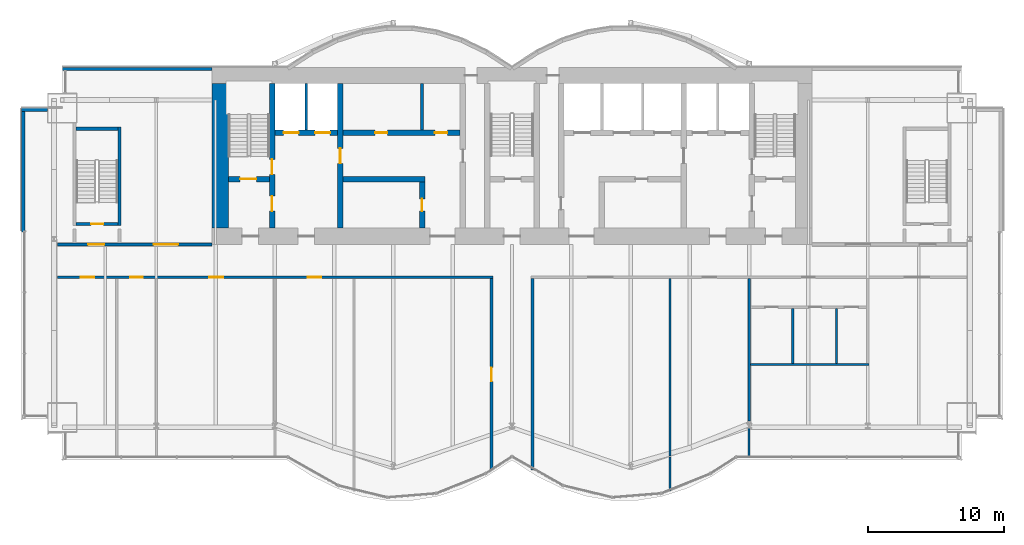
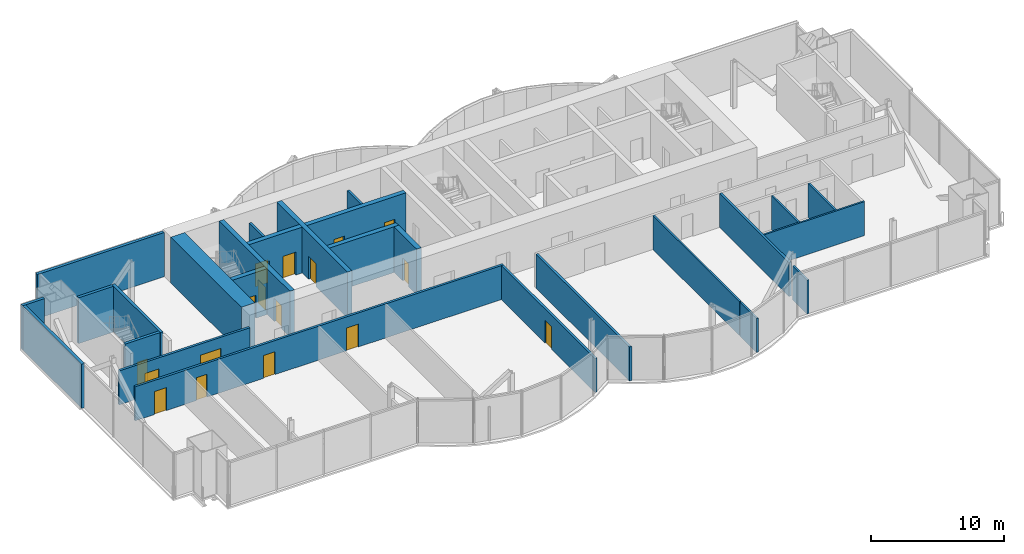
# One storey, part 13 of 19: 26 walls, 17 doors, 17 openings.
"""IFC4 building model written with IfcOpenShell, lengths in metres."""

from ifc_helpers import new_model, si_unit, direction, frame, frame_2d, origin, place, context, subcontext, project, spatial, rectangle, extrude, material, layer, layer_set, layer_usage, type_object, element, fill, save


model = new_model("IFC4")

# Units and contexts
model_context = context("Model", 3, precision=1e-05, world=origin(), true_north=direction((0.0, 1.0)))
body_context = subcontext(model_context, "Body", "Model", "MODEL_VIEW")
ifc_project = project(units=[si_unit("LENGTHUNIT", "METRE"), si_unit("AREAUNIT", "SQUARE_METRE"), si_unit("VOLUMEUNIT", "CUBIC_METRE"), si_unit("PLANEANGLEUNIT", "RADIAN"), si_unit("MASSUNIT", "GRAM", prefix="KILO")], contexts=[model_context])

# Site, building, storey
site_placement = place(None, origin())
site = spatial("IfcSite", under=ifc_project, at=site_placement, CompositionType="ELEMENT")
building_placement = place(site_placement, origin())
building = spatial("IfcBuilding", under=site, at=building_placement, Name="Bicima Exchange Tower", CompositionType="ELEMENT")
storey_placement = place(building_placement, frame((0.0, 0.0, 266.60009765625)))
storey = spatial("IfcBuildingStorey", under=building, at=storey_placement, Name="L60", CompositionType="ELEMENT", Elevation=266.60009765625)

# Wall
ifc_material_1 = material(Name="Gypsum board partition")
ifc_layer_1 = layer(ifc_material_1, 0.199951171875)
ifc_layer_set_1 = layer_set([ifc_layer_1], Name="Gypsum board partition")
wall_type_1 = type_object("IfcWallType", Name="Fire-rated gypsum partition 200 EI120", PredefinedType="PARTITIONING", material=ifc_layer_set_1)
wall_1_placement = place(storey_placement, frame((-15.10009765625, -4.60009765625, 0.0), z_axis=(0.0, 0.0, 1.0), x_axis=(0.0, 1.0, 0.0)))
element("IfcWall", 1, at=wall_1_placement, inside=storey, type_object=wall_type_1, Name="partition wall 9", PredefinedType="PARTITIONING", context=body_context, shape_type="SweptSolid", body=[
    extrude(rectangle(XDim=3.400146484375, YDim=0.199951171875, at=frame_2d((1.7001953125, 0.0))), origin(), (0.0, 0.0, 1.0), 3.1181640625),
])

# Wall, openings, doors
ifc_layer_2 = layer(ifc_material_1, 0.199951171875)
ifc_layer_set_2 = layer_set([ifc_layer_2], Name="Gypsum board partition")
wall_type_2 = type_object("IfcWallType", Name="Fire-rated gypsum partition 200 EI60", PredefinedType="PARTITIONING", material=ifc_layer_set_2)
wall_2_placement = place(storey_placement, frame((-33.340087890625, -15.39990234375, 0.0), z_axis=(0.0, 0.0, 1.0), x_axis=(1.0, 0.0, 0.0)))
wall_2 = element("IfcWall", 2, at=wall_2_placement, inside=storey, type_object=wall_type_2, Name="partition wall 3", PredefinedType="PARTITIONING", context=body_context, shape_type="SweptSolid", body=[
    extrude(rectangle(XDim=31.940185546875, YDim=0.199951171875, at=frame_2d((15.97021484375, 0.0))), origin(), (0.0, 0.0, 1.0), 3.1181640625),
])
opening_1_placement = place(wall_2_placement, frame((1.699951171875, 0.0, 0.0)))
opening_1 = element("IfcOpeningElement", 3, at=opening_1_placement, cuts=wall_2, Name="Opening L60-007", PredefinedType="OPENING", context=body_context, shape_type="SweptSolid", body=[
    extrude(rectangle(XDim=1.0, YDim=2.10009765625, at=frame_2d((0.5, 1.050048828125))), frame((0.0, 0.11181640625, 0.0), z_axis=(0.0, -1.0, 0.0), x_axis=(1.0, 0.0, 0.0)), (0.0, 0.0, 1.0), 0.223876953125),
])
opening_2_placement = place(wall_2_placement, frame((5.340087890625, 0.0, 0.0)))
opening_2 = element("IfcOpeningElement", 4, at=opening_2_placement, cuts=wall_2, Name="Opening L60-008", PredefinedType="OPENING", context=body_context, shape_type="SweptSolid", body=[
    extrude(rectangle(XDim=0.89990234375, YDim=2.10009765625, at=frame_2d((0.449951171875, 1.050048828125))), frame((0.0, 0.11181640625, 0.0), z_axis=(0.0, -1.0, 0.0), x_axis=(1.0, 0.0, 0.0)), (0.0, 0.0, 1.0), 0.223876953125),
])
opening_3_placement = place(wall_2_placement, frame((11.139892578125, 0.0, 0.0)))
opening_3 = element("IfcOpeningElement", 5, at=opening_3_placement, cuts=wall_2, Name="Opening L60-009", PredefinedType="OPENING", context=body_context, shape_type="SweptSolid", body=[
    extrude(rectangle(XDim=1.0, YDim=2.10009765625, at=frame_2d((0.5, 1.050048828125))), frame((0.0, 0.11181640625, 0.0), z_axis=(0.0, -1.0, 0.0), x_axis=(1.0, 0.0, 0.0)), (0.0, 0.0, 1.0), 0.223876953125),
])
opening_4_placement = place(wall_2_placement, frame((18.340087890625, 0.0, 0.0)))
opening_4 = element("IfcOpeningElement", 6, at=opening_4_placement, cuts=wall_2, Name="Opening L60-010", PredefinedType="OPENING", context=body_context, shape_type="SweptSolid", body=[
    extrude(rectangle(XDim=1.0, YDim=2.10009765625, at=frame_2d((0.5, 1.050048828125))), frame((0.0, 0.11181640625, 0.0), z_axis=(0.0, -1.0, 0.0), x_axis=(1.0, 0.0, 0.0)), (0.0, 0.0, 1.0), 0.223876953125),
])
ifc_material_2 = material(Name="Steel fire door leaf", Category="steel")
door_type_1 = type_object("IfcDoorType", Name="Door 1000 swing FD30S", OperationType="SINGLE_SWING_LEFT", PredefinedType="DOOR", material=ifc_material_2)
door_1_placement = place(opening_1_placement, frame((1.0, 0.0, 0.0), z_axis=(0.0, 0.0, 1.0), x_axis=(-1.0, 0.0, 0.0)))
door_1 = element("IfcDoor", 7, at=door_1_placement, inside=storey, type_object=door_type_1, Name="Door", OperationType="SINGLE_SWING_LEFT", OverallHeight=2.10009765625, OverallWidth=1.0, PredefinedType="DOOR", context=body_context, shape_type="SweptSolid", body=[
    extrude(rectangle(XDim=1.0, YDim=2.10009765625, at=frame_2d((0.5, 1.050048828125))), frame((0.0, 0.02490234375, 0.0), z_axis=(0.0, -1.0, 0.0), x_axis=(1.0, 0.0, 0.0)), (0.0, 0.0, 1.0), 0.050048828125),
])
fill(opening_1, door_1)
door_2_placement = place(opening_3_placement, frame((1.0, 0.0, 0.0), z_axis=(0.0, 0.0, 1.0), x_axis=(-1.0, 0.0, 0.0)))
door_2 = element("IfcDoor", 8, at=door_2_placement, inside=storey, type_object=door_type_1, Name="Door", OperationType="SINGLE_SWING_RIGHT", OverallHeight=2.10009765625, OverallWidth=1.0, PredefinedType="DOOR", context=body_context, shape_type="SweptSolid", body=[
    extrude(rectangle(XDim=1.0, YDim=2.10009765625, at=frame_2d((0.5, 1.050048828125))), frame((0.0, 0.02490234375, 0.0), z_axis=(0.0, -1.0, 0.0), x_axis=(1.0, 0.0, 0.0)), (0.0, 0.0, 1.0), 0.050048828125),
])
fill(opening_3, door_2)
door_3_placement = place(opening_4_placement, frame((1.0, 0.0, 0.0), z_axis=(0.0, 0.0, 1.0), x_axis=(-1.0, 0.0, 0.0)))
door_3 = element("IfcDoor", 9, at=door_3_placement, inside=storey, type_object=door_type_1, Name="Door", OperationType="SINGLE_SWING_LEFT", OverallHeight=2.10009765625, OverallWidth=1.0, PredefinedType="DOOR", context=body_context, shape_type="SweptSolid", body=[
    extrude(rectangle(XDim=1.0, YDim=2.10009765625, at=frame_2d((0.5, 1.050048828125))), frame((0.0, 0.02490234375, 0.0), z_axis=(0.0, -1.0, 0.0), x_axis=(1.0, 0.0, 0.0)), (0.0, 0.0, 1.0), 0.050048828125),
])
fill(opening_4, door_3)
door_type_2 = type_object("IfcDoorType", Name="Door 900 swing FD30S", OperationType="SINGLE_SWING_LEFT", PredefinedType="DOOR", material=ifc_material_2)
door_4_placement = place(opening_2_placement, frame((0.89990234375, 0.0, 0.0), z_axis=(0.0, 0.0, 1.0), x_axis=(-1.0, 0.0, 0.0)))
door_4 = element("IfcDoor", 10, at=door_4_placement, inside=storey, type_object=door_type_2, Name="Door", OperationType="SINGLE_SWING_RIGHT", OverallHeight=2.10009765625, OverallWidth=0.89990234375, PredefinedType="DOOR", context=body_context, shape_type="SweptSolid", body=[
    extrude(rectangle(XDim=0.89990234375, YDim=2.10009765625, at=frame_2d((0.449951171875, 1.050048828125))), frame((0.0, 0.02490234375, 0.0), z_axis=(0.0, -1.0, 0.0), x_axis=(1.0, 0.0, 0.0)), (0.0, 0.0, 1.0), 0.050048828125),
])
fill(opening_2, door_4)

wall_3_placement = place(storey_placement, frame((-33.340087890625, -13.0, 0.0), z_axis=(0.0, 0.0, 1.0), x_axis=(1.0, 0.0, 0.0)))
wall_3 = element("IfcWall", 11, at=wall_3_placement, inside=storey, type_object=wall_type_2, Name="partition wall 5", PredefinedType="PARTITIONING", context=body_context, shape_type="SweptSolid", body=[
    extrude(rectangle(XDim=11.340087890625, YDim=0.199951171875, at=frame_2d((5.669921875, 0.0))), origin(), (0.0, 0.0, 1.0), 3.1181640625),
])
opening_5_placement = place(wall_3_placement, frame((2.239990234375, 0.0, 0.0)))
opening_5 = element("IfcOpeningElement", 12, at=opening_5_placement, cuts=wall_3, Name="Opening L60-001", PredefinedType="OPENING", context=body_context, shape_type="SweptSolid", body=[
    extrude(rectangle(XDim=1.199951171875, YDim=2.10009765625, at=frame_2d((0.60009765625, 1.050048828125))), frame((0.0, 0.11181640625, 0.0), z_axis=(0.0, -1.0, 0.0), x_axis=(1.0, 0.0, 0.0)), (0.0, 0.0, 1.0), 0.223876953125),
])
opening_6_placement = place(wall_3_placement, frame((7.0400390625, 0.0, 0.0)))
opening_6 = element("IfcOpeningElement", 13, at=opening_6_placement, cuts=wall_3, Name="Opening L60-005", PredefinedType="OPENING", context=body_context, shape_type="SweptSolid", body=[
    extrude(rectangle(XDim=1.800048828125, YDim=2.10009765625, at=frame_2d((0.89990234375, 1.050048828125))), frame((0.0, 0.11181640625, 0.0), z_axis=(0.0, -1.0, 0.0), x_axis=(1.0, 0.0, 0.0)), (0.0, 0.0, 1.0), 0.223876953125),
])
door_type_3 = type_object("IfcDoorType", Name="Door 1200 swing FD30S", OperationType="SINGLE_SWING_LEFT", PredefinedType="DOOR", material=ifc_material_2)
door_5_placement = place(opening_5_placement, origin())
door_5 = element("IfcDoor", 14, at=door_5_placement, inside=storey, type_object=door_type_3, Name="Door", OperationType="SINGLE_SWING_LEFT", OverallHeight=2.10009765625, OverallWidth=1.199951171875, PredefinedType="DOOR", context=body_context, shape_type="SweptSolid", body=[
    extrude(rectangle(XDim=1.199951171875, YDim=2.10009765625, at=frame_2d((0.60009765625, 1.050048828125))), frame((0.0, 0.02490234375, 0.0), z_axis=(0.0, -1.0, 0.0), x_axis=(1.0, 0.0, 0.0)), (0.0, 0.0, 1.0), 0.050048828125),
])
fill(opening_5, door_5)
door_type_4 = type_object("IfcDoorType", Name="Door 1800 double swing FD30S", OperationType="DOUBLE_DOOR_SINGLE_SWING", PredefinedType="DOOR", material=ifc_material_2)
door_6_placement = place(opening_6_placement, origin())
door_6 = element("IfcDoor", 15, at=door_6_placement, inside=storey, type_object=door_type_4, Name="Door", OperationType="SINGLE_SWING_LEFT", OverallHeight=2.10009765625, OverallWidth=1.800048828125, PredefinedType="DOOR", context=body_context, shape_type="SweptSolid", body=[
    extrude(rectangle(XDim=1.800048828125, YDim=2.10009765625, at=frame_2d((0.89990234375, 1.050048828125))), frame((0.0, 0.02490234375, 0.0), z_axis=(0.0, -1.0, 0.0), x_axis=(1.0, 0.0, 0.0)), (0.0, 0.0, 1.0), 0.050048828125),
])
fill(opening_6, door_6)

# Wall, opening, door
wall_4_placement = place(storey_placement, frame((-1.5, -29.5400390625, 0.0), z_axis=(0.0, 0.0, 1.0), x_axis=(0.0, 1.0, 0.0)))
wall_4 = element("IfcWall", 16, at=wall_4_placement, inside=storey, type_object=wall_type_2, Name="partition wall 19", PredefinedType="PARTITIONING", context=body_context, shape_type="SweptSolid", body=[
    extrude(rectangle(XDim=14.0400390625, YDim=0.199951171875, at=frame_2d((7.02001953125, 0.0))), origin(), (0.0, 0.0, 1.0), 3.1181640625),
])
opening_7_placement = place(wall_4_placement, frame((6.5, 0.0, 0.0)))
opening_7 = element("IfcOpeningElement", 17, at=opening_7_placement, cuts=wall_4, Name="Opening L60-011", PredefinedType="OPENING", context=body_context, shape_type="SweptSolid", body=[
    extrude(rectangle(XDim=1.0, YDim=2.10009765625, at=frame_2d((0.5, 1.050048828125))), frame((0.0, 0.11181640625, 0.0), z_axis=(0.0, -1.0, 0.0), x_axis=(1.0, 0.0, 0.0)), (0.0, 0.0, 1.0), 0.223876953125),
])
door_7_placement = place(opening_7_placement, origin())
door_7 = element("IfcDoor", 18, at=door_7_placement, inside=storey, type_object=door_type_1, Name="Door", OperationType="SINGLE_SWING_LEFT", OverallHeight=2.10009765625, OverallWidth=1.0, PredefinedType="DOOR", context=body_context, shape_type="SweptSolid", body=[
    extrude(rectangle(XDim=1.0, YDim=2.10009765625, at=frame_2d((0.5, 1.050048828125))), frame((0.0, 0.02490234375, 0.0), z_axis=(0.0, -1.0, 0.0), x_axis=(1.0, 0.0, 0.0)), (0.0, 0.0, 1.0), 0.050048828125),
])
fill(opening_7, door_7)

# Walls
wall_5_placement = place(storey_placement, frame((1.5, -29.5400390625, 0.0), z_axis=(0.0, 0.0, 1.0), x_axis=(0.0, 1.0, 0.0)))
element("IfcWall", 19, at=wall_5_placement, inside=storey, type_object=wall_type_2, Name="partition wall 20", PredefinedType="PARTITIONING", context=body_context, shape_type="SweptSolid", body=[
    extrude(rectangle(XDim=14.0400390625, YDim=0.199951171875, at=frame_2d((7.02001953125, 0.0))), origin(), (0.0, 0.0, 1.0), 3.1181640625),
])
wall_6_placement = place(storey_placement, frame((17.39990234375, -25.93603515625, 0.0), z_axis=(0.0, 0.0, 1.0), x_axis=(0.0, 1.0, 0.0)))
element("IfcWall", 20, at=wall_6_placement, inside=storey, type_object=wall_type_2, Name="partition wall 24", PredefinedType="PARTITIONING", context=body_context, shape_type="SweptSolid", body=[
    extrude(rectangle(XDim=10.43603515625, YDim=0.199951171875, at=frame_2d((5.218017578125, 0.0))), origin(), (0.0, 0.0, 1.0), 3.1181640625),
])
wall_7_placement = place(storey_placement, frame((-6.60009765625, -4.60009765625, 0.0), z_axis=(0.0, 0.0, 1.0), x_axis=(0.0, 1.0, 0.0)))
element("IfcWall", 21, at=wall_7_placement, inside=storey, type_object=wall_type_2, Name="partition wall 12", PredefinedType="PARTITIONING", context=body_context, shape_type="SweptSolid", body=[
    extrude(rectangle(XDim=3.400146484375, YDim=0.199951171875, at=frame_2d((1.7001953125, 0.0))), origin(), (0.0, 0.0, 1.0), 3.1181640625),
])
ifc_layer_3 = layer(ifc_material_1, 0.14990234375)
ifc_layer_set_3 = layer_set([ifc_layer_3], Name="Gypsum board partition")
wall_type_3 = type_object("IfcWallType", Name="Gypsum partition 150", PredefinedType="PARTITIONING", material=ifc_layer_set_3)
wall_8_placement = place(storey_placement, frame((17.5, -21.800048828125, 0.0), z_axis=(0.0, 0.0, 1.0), x_axis=(1.0, 0.0, 0.0)))
element("IfcWall", 22, at=wall_8_placement, inside=storey, type_object=wall_type_3, Name="partition wall 1", PredefinedType="PARTITIONING", context=body_context, shape_type="SweptSolid", body=[
    extrude(rectangle(XDim=8.699951171875, YDim=0.14990234375, at=frame_2d((4.35009765625, 0.0))), origin(), (0.0, 0.0, 1.0), 3.1181640625),
])
wall_9_placement = place(storey_placement, frame((11.60009765625, -31.080078125, 0.0), z_axis=(0.0, 0.0, 1.0), x_axis=(0.0, 1.0, 0.0)))
element("IfcWall", 23, at=wall_9_placement, inside=storey, type_object=wall_type_3, Name="partition wall 21", PredefinedType="PARTITIONING", context=body_context, shape_type="SweptSolid", body=[
    extrude(rectangle(XDim=2.469970703125, YDim=0.14990234375, at=frame_2d((1.23486328125, 0.0))), origin(), (0.0, 0.0, 1.0), 3.1181640625),
])
wall_10_placement = place(storey_placement, frame((11.60009765625, -28.510986328125, 0.0), z_axis=(0.0, 0.0, 1.0), x_axis=(0.0, 1.0, 0.0)))
element("IfcWall", 24, at=wall_10_placement, inside=storey, type_object=wall_type_3, Name="partition wall 22", PredefinedType="PARTITIONING", context=body_context, shape_type="SweptSolid", body=[
    extrude(rectangle(XDim=13.010986328125, YDim=0.14990234375, at=frame_2d((6.50537109375, 0.0))), origin(), (0.0, 0.0, 1.0), 3.1181640625),
])
wall_11_placement = place(storey_placement, frame((17.39990234375, -28.610107421875, 0.0), z_axis=(0.0, 0.0, 1.0), x_axis=(0.0, 1.0, 0.0)))
element("IfcWall", 25, at=wall_11_placement, inside=storey, type_object=wall_type_3, Name="partition wall 23", PredefinedType="PARTITIONING", context=body_context, shape_type="SweptSolid", body=[
    extrude(rectangle(XDim=2.186279296875, YDim=0.14990234375, at=frame_2d((1.09326171875, 0.0))), origin(), (0.0, 0.0, 1.0), 3.1181640625),
])
for number, where, z_axis, x_axis, name in (
    (26, (20.60009765625, -21.72509765625, 0.0), (0.0, 0.0, 1.0), (0.0, 1.0, 0.0), "partition wall 25"),
    (27, (23.800048828125, -21.72509765625, 0.0), (0.0, 0.0, 1.0), (0.0, 1.0, 0.0), "partition wall 26"),
):
    element("IfcWall", number, at=place(storey_placement, frame(where, z_axis=z_axis, x_axis=x_axis)), inside=storey, type_object=wall_type_3, Name=name, PredefinedType="PARTITIONING", context=body_context, shape_type="SweptSolid", body=[
        extrude(rectangle(XDim=4.025146484375, YDim=0.14990234375, at=frame_2d((2.0126953125, 0.0))), origin(), (0.0, 0.0, 1.0), 3.1181640625),
    ])
ifc_material_3 = material(Name="Concrete C40/50", Category="concrete")
ifc_layer_4 = layer(ifc_material_3, 1.199951171875)
ifc_layer_set_4 = layer_set([ifc_layer_4], Name="Concrete C40/50")
wall_type_4 = type_object("IfcWallType", Name="RC core wall 1200 C40/50", PredefinedType="SHEAR", material=ifc_layer_set_4)
wall_12_placement = place(storey_placement, frame((-21.39990234375, -11.800048828125, 0.0), z_axis=(0.0, 0.0, 1.0), x_axis=(0.0, 1.0, 0.0)))
element("IfcWall", 28, at=wall_12_placement, inside=storey, type_object=wall_type_4, Name="Core wall west", PredefinedType="SHEAR", context=body_context, shape_type="SweptSolid", body=[
    extrude(rectangle(XDim=10.60009765625, YDim=1.199951171875, at=frame_2d((5.300048828125, 0.0))), origin(), (0.0, 0.0, 1.0), 4.199951171875),
])
ifc_layer_5 = layer(ifc_material_3, 0.39990234375)
ifc_layer_set_5 = layer_set([ifc_layer_5], Name="Concrete C40/50")
wall_type_5 = type_object("IfcWallType", Name="RC core wall 400 C40/50", PredefinedType="SHEAR", material=ifc_layer_set_5)
wall_13_placement = place(storey_placement, frame((-12.39990234375, -8.199951171875, 0.0), z_axis=(0.0, 0.0, 1.0), x_axis=(1.0, 0.0, 0.0)))
element("IfcWall", 29, at=wall_13_placement, inside=storey, type_object=wall_type_5, Name="shear wall 2", PredefinedType="SHEAR", context=body_context, shape_type="SweptSolid", body=[
    extrude(rectangle(XDim=6.0, YDim=0.39990234375, at=frame_2d((3.0, 0.0))), origin(), (0.0, 0.0, 1.0), 4.199951171875),
])

# Wall, openings, doors
wall_14_placement = place(storey_placement, frame((-17.39990234375, -4.800048828125, 0.0), z_axis=(0.0, 0.0, 1.0), x_axis=(1.0, 0.0, 0.0)))
wall_14 = element("IfcWall", 30, at=wall_14_placement, inside=storey, type_object=wall_type_5, Name="shear wall 6", PredefinedType="SHEAR", context=body_context, shape_type="SweptSolid", body=[
    extrude(rectangle(XDim=13.599853515625, YDim=0.39990234375, at=frame_2d((6.7998046875, 0.0))), origin(), (0.0, 0.0, 1.0), 4.199951171875),
])
opening_8_placement = place(wall_14_placement, frame((0.64990234375, 0.0, 0.0)))
opening_8 = element("IfcOpeningElement", 31, at=opening_8_placement, cuts=wall_14, Name="Opening LD-FF1-L60", PredefinedType="OPENING", context=body_context, shape_type="SweptSolid", body=[
    extrude(rectangle(XDim=1.10009765625, YDim=2.10009765625, at=frame_2d((0.550048828125, 1.050048828125))), frame((0.0, 0.2119140625, 0.0), z_axis=(0.0, -1.0, 0.0), x_axis=(1.0, 0.0, 0.0)), (0.0, 0.0, 1.0), 0.423828125),
])
opening_9_placement = place(wall_14_placement, frame((2.949951171875, 0.0, 0.0)))
opening_9 = element("IfcOpeningElement", 32, at=opening_9_placement, cuts=wall_14, Name="Opening LD-FF3-L60", PredefinedType="OPENING", context=body_context, shape_type="SweptSolid", body=[
    extrude(rectangle(XDim=1.10009765625, YDim=2.10009765625, at=frame_2d((0.550048828125, 1.050048828125))), frame((0.0, 0.2119140625, 0.0), z_axis=(0.0, -1.0, 0.0), x_axis=(1.0, 0.0, 0.0)), (0.0, 0.0, 1.0), 0.423828125),
])
opening_10_placement = place(wall_14_placement, frame((7.35009765625, 0.0, 0.0)))
opening_10 = element("IfcOpeningElement", 33, at=opening_10_placement, cuts=wall_14, Name="Opening L60-C12", PredefinedType="OPENING", context=body_context, shape_type="SweptSolid", body=[
    extrude(rectangle(XDim=0.89990234375, YDim=2.10009765625, at=frame_2d((0.449951171875, 1.050048828125))), frame((0.0, 0.2119140625, 0.0), z_axis=(0.0, -1.0, 0.0), x_axis=(1.0, 0.0, 0.0)), (0.0, 0.0, 1.0), 0.423828125),
])
opening_11_placement = place(wall_14_placement, frame((11.75, 0.0, 0.0)))
opening_11 = element("IfcOpeningElement", 34, at=opening_11_placement, cuts=wall_14, Name="Opening L60-C13", PredefinedType="OPENING", context=body_context, shape_type="SweptSolid", body=[
    extrude(rectangle(XDim=0.89990234375, YDim=2.10009765625, at=frame_2d((0.449951171875, 1.050048828125))), frame((0.0, 0.2119140625, 0.0), z_axis=(0.0, -1.0, 0.0), x_axis=(1.0, 0.0, 0.0)), (0.0, 0.0, 1.0), 0.423828125),
])
door_8_placement = place(opening_10_placement, origin())
door_8 = element("IfcDoor", 35, at=door_8_placement, inside=storey, type_object=door_type_2, Name="Core door", OperationType="SINGLE_SWING_RIGHT", OverallHeight=2.10009765625, OverallWidth=0.89990234375, PredefinedType="DOOR", context=body_context, shape_type="SweptSolid", body=[
    extrude(rectangle(XDim=0.89990234375, YDim=2.10009765625, at=frame_2d((0.449951171875, 1.050048828125))), frame((0.0, 0.02490234375, 0.0), z_axis=(0.0, -1.0, 0.0), x_axis=(1.0, 0.0, 0.0)), (0.0, 0.0, 1.0), 0.050048828125),
])
fill(opening_10, door_8)
door_9_placement = place(opening_11_placement, origin())
door_9 = element("IfcDoor", 36, at=door_9_placement, inside=storey, type_object=door_type_2, Name="Core door", OperationType="SINGLE_SWING_LEFT", OverallHeight=2.10009765625, OverallWidth=0.89990234375, PredefinedType="DOOR", context=body_context, shape_type="SweptSolid", body=[
    extrude(rectangle(XDim=0.89990234375, YDim=2.10009765625, at=frame_2d((0.449951171875, 1.050048828125))), frame((0.0, 0.02490234375, 0.0), z_axis=(0.0, -1.0, 0.0), x_axis=(1.0, 0.0, 0.0)), (0.0, 0.0, 1.0), 0.050048828125),
])
fill(opening_11, door_9)
ifc_material_4 = material(Name="Stainless steel", Category="steel")
door_type_5 = type_object("IfcDoorType", Name="Lift landing door 1100 sliding", OperationType="DOUBLE_DOOR_SLIDING", PredefinedType="DOOR", material=ifc_material_4)
door_10_placement = place(opening_8_placement, origin())
door_10 = element("IfcDoor", 37, at=door_10_placement, inside=storey, type_object=door_type_5, Name="Lift landing door FF1", OperationType="DOUBLE_DOOR_SLIDING", OverallHeight=2.10009765625, OverallWidth=1.10009765625, PredefinedType="DOOR", context=body_context, shape_type="SweptSolid", body=[
    extrude(rectangle(XDim=1.10009765625, YDim=2.10009765625, at=frame_2d((0.550048828125, 1.050048828125))), frame((0.0, 0.02490234375, 0.0), z_axis=(0.0, -1.0, 0.0), x_axis=(1.0, 0.0, 0.0)), (0.0, 0.0, 1.0), 0.050048828125),
])
fill(opening_8, door_10)
door_11_placement = place(opening_9_placement, origin())
door_11 = element("IfcDoor", 38, at=door_11_placement, inside=storey, type_object=door_type_5, Name="Lift landing door FF3", OperationType="DOUBLE_DOOR_SLIDING", OverallHeight=2.10009765625, OverallWidth=1.10009765625, PredefinedType="DOOR", context=body_context, shape_type="SweptSolid", body=[
    extrude(rectangle(XDim=1.10009765625, YDim=2.10009765625, at=frame_2d((0.550048828125, 1.050048828125))), frame((0.0, 0.02490234375, 0.0), z_axis=(0.0, -1.0, 0.0), x_axis=(1.0, 0.0, 0.0)), (0.0, 0.0, 1.0), 0.050048828125),
])
fill(opening_9, door_11)

# Wall, opening, door
wall_15_placement = place(storey_placement, frame((-12.60009765625, -11.800048828125, 0.0), z_axis=(0.0, 0.0, 1.0), x_axis=(0.0, 1.0, 0.0)))
wall_15 = element("IfcWall", 39, at=wall_15_placement, inside=storey, type_object=wall_type_5, Name="shear wall 10", PredefinedType="SHEAR", context=body_context, shape_type="SweptSolid", body=[
    extrude(rectangle(XDim=10.60009765625, YDim=0.39990234375, at=frame_2d((5.300048828125, 0.0))), origin(), (0.0, 0.0, 1.0), 4.199951171875),
])
opening_12_placement = place(wall_15_placement, frame((4.75, 0.0, 0.0)))
opening_12 = element("IfcOpeningElement", 40, at=opening_12_placement, cuts=wall_15, Name="Opening L60-C07", PredefinedType="OPENING", context=body_context, shape_type="SweptSolid", body=[
    extrude(rectangle(XDim=1.10009765625, YDim=2.10009765625, at=frame_2d((0.550048828125, 1.050048828125))), frame((0.0, 0.2119140625, 0.0), z_axis=(0.0, -1.0, 0.0), x_axis=(1.0, 0.0, 0.0)), (0.0, 0.0, 1.0), 0.423828125),
])
door_type_6 = type_object("IfcDoorType", Name="Door 1100 swing FD60S", OperationType="SINGLE_SWING_LEFT", PredefinedType="DOOR", material=ifc_material_2)
door_12_placement = place(opening_12_placement, origin())
door_12 = element("IfcDoor", 41, at=door_12_placement, inside=storey, type_object=door_type_6, Name="Core door", OperationType="SINGLE_SWING_LEFT", OverallHeight=2.10009765625, OverallWidth=1.10009765625, PredefinedType="DOOR", context=body_context, shape_type="SweptSolid", body=[
    extrude(rectangle(XDim=1.10009765625, YDim=2.10009765625, at=frame_2d((0.550048828125, 1.050048828125))), frame((0.0, 0.02490234375, 0.0), z_axis=(0.0, -1.0, 0.0), x_axis=(1.0, 0.0, 0.0)), (0.0, 0.0, 1.0), 0.050048828125),
])
fill(opening_12, door_12)

wall_16_placement = place(storey_placement, frame((-6.60009765625, -11.800048828125, 0.0), z_axis=(0.0, 0.0, 1.0), x_axis=(0.0, 1.0, 0.0)))
wall_16 = element("IfcWall", 42, at=wall_16_placement, inside=storey, type_object=wall_type_5, Name="shear wall 11", PredefinedType="SHEAR", context=body_context, shape_type="SweptSolid", body=[
    extrude(rectangle(XDim=3.400146484375, YDim=0.39990234375, at=frame_2d((1.7001953125, 0.0))), origin(), (0.0, 0.0, 1.0), 4.199951171875),
])
opening_13_placement = place(wall_16_placement, frame((1.25, 0.0, 0.0)))
opening_13 = element("IfcOpeningElement", 43, at=opening_13_placement, cuts=wall_16, Name="Opening L60-C14", PredefinedType="OPENING", context=body_context, shape_type="SweptSolid", body=[
    extrude(rectangle(XDim=0.89990234375, YDim=2.10009765625, at=frame_2d((0.449951171875, 1.050048828125))), frame((0.0, 0.2119140625, 0.0), z_axis=(0.0, -1.0, 0.0), x_axis=(1.0, 0.0, 0.0)), (0.0, 0.0, 1.0), 0.423828125),
])
door_13_placement = place(opening_13_placement, origin())
door_13 = element("IfcDoor", 44, at=door_13_placement, inside=storey, type_object=door_type_2, Name="Core door", OperationType="SINGLE_SWING_RIGHT", OverallHeight=2.10009765625, OverallWidth=0.89990234375, PredefinedType="DOOR", context=body_context, shape_type="SweptSolid", body=[
    extrude(rectangle(XDim=0.89990234375, YDim=2.10009765625, at=frame_2d((0.449951171875, 1.050048828125))), frame((0.0, 0.02490234375, 0.0), z_axis=(0.0, -1.0, 0.0), x_axis=(1.0, 0.0, 0.0)), (0.0, 0.0, 1.0), 0.050048828125),
])
fill(opening_13, door_13)

ifc_material_5 = material(Name="Concrete C50/60", Category="concrete")
ifc_layer_6 = layer(ifc_material_5, 0.39990234375)
ifc_layer_set_6 = layer_set([ifc_layer_6], Name="Concrete C50/60")
wall_type_6 = type_object("IfcWallType", Name="RC core wall 400 C50/60", PredefinedType="SHEAR", material=ifc_layer_set_6)
wall_17_placement = place(storey_placement, frame((-20.800048828125, -8.199951171875, 0.0), z_axis=(0.0, 0.0, 1.0), x_axis=(1.0, 0.0, 0.0)))
wall_17 = element("IfcWall", 45, at=wall_17_placement, inside=storey, type_object=wall_type_6, Name="stair wall 1", PredefinedType="SHEAR", context=body_context, shape_type="SweptSolid", body=[
    extrude(rectangle(XDim=3.0, YDim=0.39990234375, at=frame_2d((1.5, 0.0))), origin(), (0.0, 0.0, 1.0), 4.199951171875),
])
opening_14_placement = place(wall_17_placement, frame((0.85009765625, 0.0, 0.0)))
opening_14 = element("IfcOpeningElement", 46, at=opening_14_placement, cuts=wall_17, Name="Opening L60-C01", PredefinedType="OPENING", context=body_context, shape_type="SweptSolid", body=[
    extrude(rectangle(XDim=1.199951171875, YDim=2.10009765625, at=frame_2d((0.60009765625, 1.050048828125))), frame((0.0, 0.2119140625, 0.0), z_axis=(0.0, -1.0, 0.0), x_axis=(1.0, 0.0, 0.0)), (0.0, 0.0, 1.0), 0.423828125),
])
door_type_7 = type_object("IfcDoorType", Name="Door 1200 swing FD60S", OperationType="SINGLE_SWING_LEFT", PredefinedType="DOOR", material=ifc_material_2)
door_14_placement = place(opening_14_placement, origin())
door_14 = element("IfcDoor", 47, at=door_14_placement, inside=storey, type_object=door_type_7, Name="Core door", OperationType="SINGLE_SWING_LEFT", OverallHeight=2.10009765625, OverallWidth=1.199951171875, PredefinedType="DOOR", context=body_context, shape_type="SweptSolid", body=[
    extrude(rectangle(XDim=1.199951171875, YDim=2.10009765625, at=frame_2d((0.60009765625, 1.050048828125))), frame((0.0, 0.02490234375, 0.0), z_axis=(0.0, -1.0, 0.0), x_axis=(1.0, 0.0, 0.0)), (0.0, 0.0, 1.0), 0.050048828125),
])
fill(opening_14, door_14)

# Wall, openings, doors
wall_18_placement = place(storey_placement, frame((-17.60009765625, -11.800048828125, 0.0), z_axis=(0.0, 0.0, 1.0), x_axis=(0.0, 1.0, 0.0)))
wall_18 = element("IfcWall", 48, at=wall_18_placement, inside=storey, type_object=wall_type_6, Name="stair wall 8", PredefinedType="SHEAR", context=body_context, shape_type="SweptSolid", body=[
    extrude(rectangle(XDim=10.60009765625, YDim=0.39990234375, at=frame_2d((5.300048828125, 0.0))), origin(), (0.0, 0.0, 1.0), 4.199951171875),
])
opening_15_placement = place(wall_18_placement, frame((1.25, 0.0, 0.0)))
opening_15 = element("IfcOpeningElement", 49, at=opening_15_placement, cuts=wall_18, Name="Opening L60-C02", PredefinedType="OPENING", context=body_context, shape_type="SweptSolid", body=[
    extrude(rectangle(XDim=1.10009765625, YDim=2.10009765625, at=frame_2d((0.550048828125, 1.050048828125))), frame((0.0, 0.2119140625, 0.0), z_axis=(0.0, -1.0, 0.0), x_axis=(1.0, 0.0, 0.0)), (0.0, 0.0, 1.0), 0.423828125),
])
opening_16_placement = place(wall_18_placement, frame((3.949951171875, 0.0, 0.0)))
opening_16 = element("IfcOpeningElement", 50, at=opening_16_placement, cuts=wall_18, Name="Opening L60-C06", PredefinedType="OPENING", context=body_context, shape_type="SweptSolid", body=[
    extrude(rectangle(XDim=1.10009765625, YDim=2.10009765625, at=frame_2d((0.550048828125, 1.050048828125))), frame((0.0, 0.2119140625, 0.0), z_axis=(0.0, -1.0, 0.0), x_axis=(1.0, 0.0, 0.0)), (0.0, 0.0, 1.0), 0.423828125),
])
door_15_placement = place(opening_15_placement, frame((1.10009765625, 0.0, 0.0), z_axis=(0.0, 0.0, 1.0), x_axis=(-1.0, 0.0, 0.0)))
door_15 = element("IfcDoor", 51, at=door_15_placement, inside=storey, type_object=door_type_6, Name="Core door", OperationType="SINGLE_SWING_LEFT", OverallHeight=2.10009765625, OverallWidth=1.10009765625, PredefinedType="DOOR", context=body_context, shape_type="SweptSolid", body=[
    extrude(rectangle(XDim=1.10009765625, YDim=2.10009765625, at=frame_2d((0.550048828125, 1.050048828125))), frame((0.0, 0.02490234375, 0.0), z_axis=(0.0, -1.0, 0.0), x_axis=(1.0, 0.0, 0.0)), (0.0, 0.0, 1.0), 0.050048828125),
])
fill(opening_15, door_15)
door_16_placement = place(opening_16_placement, frame((1.10009765625, 0.0, 0.0), z_axis=(0.0, 0.0, 1.0), x_axis=(-1.0, 0.0, 0.0)))
door_16 = element("IfcDoor", 52, at=door_16_placement, inside=storey, type_object=door_type_6, Name="Core door", OperationType="SINGLE_SWING_LEFT", OverallHeight=2.10009765625, OverallWidth=1.10009765625, PredefinedType="DOOR", context=body_context, shape_type="SweptSolid", body=[
    extrude(rectangle(XDim=1.10009765625, YDim=2.10009765625, at=frame_2d((0.550048828125, 1.050048828125))), frame((0.0, 0.02490234375, 0.0), z_axis=(0.0, -1.0, 0.0), x_axis=(1.0, 0.0, 0.0)), (0.0, 0.0, 1.0), 0.050048828125),
])
fill(opening_16, door_16)

# Wall
ifc_layer_7 = layer(ifc_material_5, 0.25)
ifc_layer_set_7 = layer_set([ifc_layer_7], Name="Concrete C50/60")
wall_type_7 = type_object("IfcWallType", Name="RC stair enclosure wall 250 C50/60", PredefinedType="SHEAR", material=ifc_layer_set_7)
wall_19_placement = place(storey_placement, frame((-28.800048828125, -11.625, 0.0), z_axis=(0.0, 0.0, 1.0), x_axis=(0.0, 1.0, 0.0)))
element("IfcWall", 53, at=wall_19_placement, inside=storey, type_object=wall_type_7, Name="West end exit stair wall E", PredefinedType="SHEAR", context=body_context, shape_type="SweptSolid", body=[
    extrude(rectangle(XDim=7.25, YDim=0.25, at=frame_2d((3.625, 0.0))), origin(), (0.0, 0.0, 1.0), 4.199951171875),
])

# Wall, opening, door
wall_20_placement = place(storey_placement, frame((-31.97509765625, -11.5, 0.0), z_axis=(0.0, 0.0, 1.0), x_axis=(1.0, 0.0, 0.0)))
wall_20 = element("IfcWall", 54, at=wall_20_placement, inside=storey, type_object=wall_type_7, Name="West end exit stair wall S", PredefinedType="SHEAR", context=body_context, shape_type="SweptSolid", body=[
    extrude(rectangle(XDim=3.050048828125, YDim=0.25, at=frame_2d((1.52490234375, 0.0))), origin(), (0.0, 0.0, 1.0), 4.199951171875),
])
opening_17_placement = place(wall_20_placement, frame((1.10009765625, 0.0, 0.0)))
opening_17 = element("IfcOpeningElement", 55, at=opening_17_placement, cuts=wall_20, Name="Opening L60-002", PredefinedType="OPENING", context=body_context, shape_type="SweptSolid", body=[
    extrude(rectangle(XDim=0.89990234375, YDim=2.10009765625, at=frame_2d((0.449951171875, 1.050048828125))), frame((0.0, 0.136962890625, 0.0), z_axis=(0.0, -1.0, 0.0), x_axis=(1.0, 0.0, 0.0)), (0.0, 0.0, 1.0), 0.27392578125),
])
door_type_8 = type_object("IfcDoorType", Name="Door 900 swing FD60S", OperationType="SINGLE_SWING_LEFT", PredefinedType="DOOR", material=ifc_material_2)
door_17_placement = place(opening_17_placement, origin())
door_17 = element("IfcDoor", 56, at=door_17_placement, inside=storey, type_object=door_type_8, Name="Door", OperationType="SINGLE_SWING_LEFT", OverallHeight=2.10009765625, OverallWidth=0.89990234375, PredefinedType="DOOR", context=body_context, shape_type="SweptSolid", body=[
    extrude(rectangle(XDim=0.89990234375, YDim=2.10009765625, at=frame_2d((0.449951171875, 1.050048828125))), frame((0.0, 0.02490234375, 0.0), z_axis=(0.0, -1.0, 0.0), x_axis=(1.0, 0.0, 0.0)), (0.0, 0.0, 1.0), 0.050048828125),
])
fill(opening_17, door_17)

# Walls
wall_21_placement = place(storey_placement, frame((-31.97509765625, -4.5, 0.0), z_axis=(0.0, 0.0, 1.0), x_axis=(1.0, 0.0, 0.0)))
element("IfcWall", 57, at=wall_21_placement, inside=storey, type_object=wall_type_7, Name="West end exit stair wall N", PredefinedType="SHEAR", context=body_context, shape_type="SweptSolid", body=[
    extrude(rectangle(XDim=3.050048828125, YDim=0.25, at=frame_2d((1.52490234375, 0.0))), origin(), (0.0, 0.0, 1.0), 4.199951171875),
])
ifc_layer_8 = layer(ifc_material_3, 0.25)
ifc_layer_set_8 = layer_set([ifc_layer_8], Name="Concrete C40/50")
ifc_layer_usage = layer_usage(ifc_layer_set_8, "AXIS2", "POSITIVE", -0.125)
wall_type_8 = type_object("IfcWallType", Name="Rear backup wall 250", PredefinedType="STANDARD", material=ifc_layer_set_8)
wall_22_placement = place(storey_placement, frame((-22.0, -0.125, 0.0), z_axis=(0.0, 0.0, 1.0), x_axis=(-1.0, 0.0, 0.0)))
element("IfcWall", 58, at=wall_22_placement, inside=storey, type_object=wall_type_8, material=ifc_layer_usage, Name="Rear backup wall L60 20", PredefinedType="STANDARD", context=body_context, shape_type="SweptSolid", body=[
    extrude(rectangle(XDim=11.0, YDim=0.25, at=frame_2d((5.5, 0.0))), origin(), (0.0, 0.0, 1.0), 4.0498046875),
])
wall_23_placement = place(storey_placement, frame((-34.10009765625, -3.125, 0.0), z_axis=(0.0, 0.0, 1.0), x_axis=(-1.0, 0.0, 0.0)))
element("IfcWall", 59, at=wall_23_placement, inside=storey, type_object=wall_type_8, material=ifc_layer_usage, Name="Rear backup wall L60 22", PredefinedType="STANDARD", context=body_context, shape_type="SweptSolid", body=[
    extrude(rectangle(XDim=1.89990234375, YDim=0.25, at=frame_2d((0.949951171875, 0.0))), origin(), (0.0, 0.0, 1.0), 4.0498046875),
])
wall_24_placement = place(storey_placement, frame((-35.875, -3.0, 0.0), z_axis=(0.0, 0.0, 1.0), x_axis=(0.0, -1.0, 0.0)))
element("IfcWall", 60, at=wall_24_placement, inside=storey, type_object=wall_type_8, material=ifc_layer_usage, Name="Rear backup wall L60 23", PredefinedType="STANDARD", context=body_context, shape_type="SweptSolid", body=[
    extrude(rectangle(XDim=9.090087890625, YDim=0.25, at=frame_2d((4.544921875, 0.0))), origin(), (0.0, 0.0, 1.0), 4.0498046875),
])

save(model, "model.ifc")
